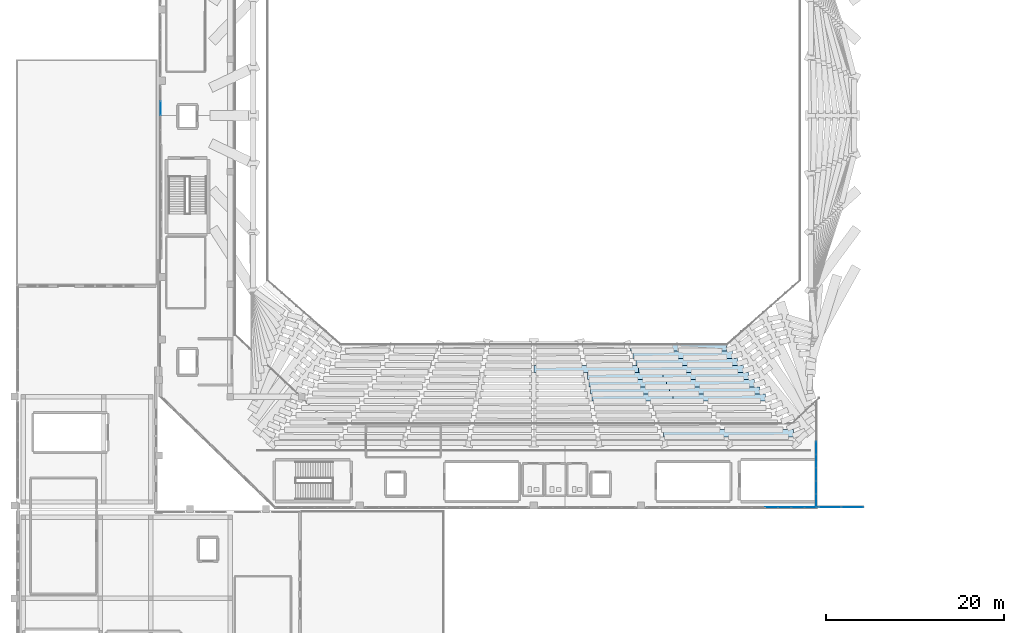
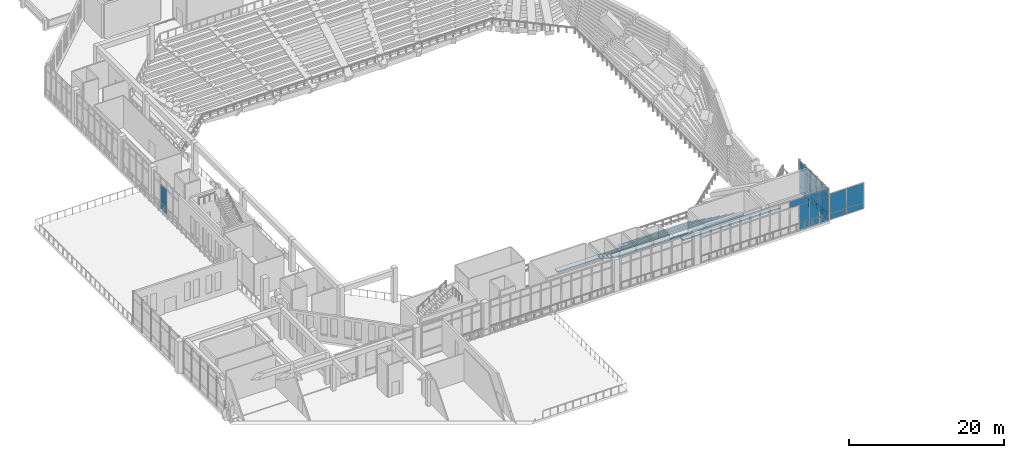
# One storey, part 35 of 55: 31 plates, 14 slabs, 4 elements without a shape of their own.
"""IFC4 building model written with IfcOpenShell, lengths in metres."""

from ifc_helpers import new_model, si_unit, derived_unit, direction, frame, origin, origin_2d, place, context, subcontext, project, spatial, polyline, rectangle, outline, extrude, material, layer, layer_set, type_object, element, aggregate, save


model = new_model("IFC4")

# Units and contexts
model_context = context("Model", 3, precision=1e-05, world=origin(), true_north=direction((0.0, 1.0)))
body_context = subcontext(model_context, "Body", "Model", "MODEL_VIEW")
ifc_project = project(units=[si_unit("LENGTHUNIT", "METRE"), si_unit("AREAUNIT", "SQUARE_METRE"), si_unit("VOLUMEUNIT", "CUBIC_METRE"), si_unit("PLANEANGLEUNIT", "RADIAN"), si_unit("MASSUNIT", "GRAM", prefix="KILO"), derived_unit("THERMALTRANSMITTANCEUNIT", [(si_unit("MASSUNIT", "GRAM", prefix="KILO"), 1), (si_unit("TIMEUNIT", "SECOND"), -3), (si_unit("THERMODYNAMICTEMPERATUREUNIT", "KELVIN"), -1)])], contexts=[model_context])

# Site, building, storey
site_placement = place(None, origin())
site = spatial("IfcSite", under=ifc_project, at=site_placement, CompositionType="ELEMENT")
building_placement = place(site_placement, origin())
building = spatial("IfcBuilding", under=site, at=building_placement, Name="Valcora Ridge Arena", CompositionType="ELEMENT")
storey_placement = place(building_placement, frame((0.0, 0.0, 21.0)))
storey = spatial("IfcBuildingStorey", under=building, at=storey_placement, Name="L04", CompositionType="ELEMENT", Elevation=21.0)

# Curtain wall, plates
ifc_material_1 = material(Name="Anodised dark bronze architectural aluminium 6063-T6", Category="aluminium")
ifc_layer_1 = layer(ifc_material_1, 0.179931640625, Name="Anodised dark bronze architectural aluminium 6063-T6")
ifc_layer_set_1 = layer_set([ifc_layer_1], Name="Anodised dark bronze architectural aluminium 6063-T6")
curtain_wall_type_1 = type_object("IfcCurtainWallType", Name="TY-CURTAINWALL-CW-V1-GOTH-192X51", PredefinedType="NOTDEFINED", material=ifc_layer_set_1)
curtain_wall_1_placement = place(storey_placement, origin())
curtain_wall_1 = element("IfcCurtainWall", 1, at=curtain_wall_1_placement, inside=storey, type_object=curtain_wall_type_1, Name="CW-V1-GOTH-192X51 CW-0156", PredefinedType="NOTDEFINED")
ifc_material_2 = material(Name="Low-iron solar-control double glazing SHGC 0.28", Category="glass")
ifc_layer_2 = layer(ifc_material_2, 0.031982421875, Name="Low-iron solar-control double glazing SHGC 0.28")
ifc_layer_set_2 = layer_set([ifc_layer_2], Name="Low-iron solar-control double glazing SHGC 0.28")
plate_type_1 = type_object("IfcPlateType", Name="TY-PLT-CWP-1384X0960", PredefinedType="CURTAIN_PANEL", material=ifc_layer_set_2)
plate_1_placement = place(storey_placement, frame((89.048095703125, 20.199951171875, 0.06005859375), z_axis=(0.0, 0.0, 1.0), x_axis=(1.0, 0.0, 0.0)))
plate_1 = element("IfcPlate", 2, at=plate_1_placement, type_object=plate_type_1, Name="CW-0156/P12-00", PredefinedType="CURTAIN_PANEL", context=body_context, shape_type="SweptSolid", body=[
    extrude(rectangle(XDim=1.384033203125, YDim=0.031982421875, at=origin_2d()), origin(), (0.0, 0.0, 1.0), 0.9599609375),
])
ifc_layer_3 = layer(ifc_material_2, 0.031982421875, Name="Low-iron solar-control double glazing SHGC 0.28")
ifc_layer_set_3 = layer_set([ifc_layer_3], Name="Low-iron solar-control double glazing SHGC 0.28")
plate_type_2 = type_object("IfcPlateType", Name="TY-PLT-CWP-1384X1010", PredefinedType="CURTAIN_PANEL", material=ifc_layer_set_3)
plate_2_placement = place(storey_placement, frame((89.048095703125, 20.199951171875, 3.990234375), z_axis=(0.0, 0.0, 1.0), x_axis=(1.0, 0.0, 0.0)))
plate_2 = element("IfcPlate", 3, at=plate_2_placement, type_object=plate_type_2, Name="CW-0156/P12-02", PredefinedType="CURTAIN_PANEL", context=body_context, shape_type="SweptSolid", body=[
    extrude(rectangle(XDim=1.384033203125, YDim=0.031982421875, at=origin_2d()), origin(), (0.0, 0.0, 1.0), 1.010009765625),
])
ifc_layer_4 = layer(ifc_material_2, 0.031982421875, Name="Low-iron solar-control double glazing SHGC 0.28")
ifc_layer_set_4 = layer_set([ifc_layer_4], Name="Low-iron solar-control double glazing SHGC 0.28")
plate_type_3 = type_object("IfcPlateType", Name="TY-PLT-CWP-1384X2850", PredefinedType="CURTAIN_PANEL", material=ifc_layer_set_4)
plate_3_placement = place(storey_placement, frame((89.048095703125, 20.199951171875, 1.079833984375), z_axis=(0.0, 0.0, 1.0), x_axis=(1.0, 0.0, 0.0)))
plate_3 = element("IfcPlate", 4, at=plate_3_placement, type_object=plate_type_3, Name="CW-0156/P12-01", PredefinedType="CURTAIN_PANEL", context=body_context, shape_type="SweptSolid", body=[
    extrude(rectangle(XDim=1.384033203125, YDim=0.031982421875, at=origin_2d()), origin(), (0.0, 0.0, 1.0), 2.85009765625),
])

ifc_layer_5 = layer(ifc_material_1, 0.14990234375, Name="Anodised dark bronze architectural aluminium 6063-T6")
ifc_layer_set_5 = layer_set([ifc_layer_5], Name="Anodised dark bronze architectural aluminium 6063-T6")
curtain_wall_type_2 = type_object("IfcCurtainWallType", Name="TY-CURTAINWALL-CW-V1-EAST-074X51", PredefinedType="NOTDEFINED", material=ifc_layer_set_5)
curtain_wall_2_placement = place(storey_placement, origin())
curtain_wall_2 = element("IfcCurtainWall", 5, at=curtain_wall_2_placement, inside=storey, type_object=curtain_wall_type_2, Name="CW-V1-EAST-074X51 CW-0161", PredefinedType="NOTDEFINED")
ifc_layer_6 = layer(ifc_material_2, 0.028076171875, Name="Low-iron solar-control double glazing SHGC 0.28")
ifc_layer_set_6 = layer_set([ifc_layer_6], Name="Low-iron solar-control double glazing SHGC 0.28")
plate_type_4 = type_object("IfcPlateType", Name="TY-PLT-CWP-1405X0975", PredefinedType="CURTAIN_PANEL", material=ifc_layer_set_6)
plate_4_placement = place(storey_placement, frame((89.64990234375, 20.952392578125, 0.050048828125), z_axis=(0.0, 0.0, 1.0), x_axis=(0.0, 1.0, 0.0)))
plate_4 = element("IfcPlate", 6, at=plate_4_placement, type_object=plate_type_4, Name="CW-0161/P00-00", PredefinedType="CURTAIN_PANEL", context=body_context, shape_type="SweptSolid", body=[
    extrude(rectangle(XDim=1.405029296875, YDim=0.028076171875, at=origin_2d()), origin(), (0.0, 0.0, 1.0), 0.97509765625),
])
plate_5_placement = place(storey_placement, frame((89.64990234375, 26.847412109375, 0.050048828125), z_axis=(0.0, 0.0, 1.0), x_axis=(0.0, 1.0, 0.0)))
plate_5 = element("IfcPlate", 7, at=plate_5_placement, type_object=plate_type_4, Name="CW-0161/P04-00", PredefinedType="CURTAIN_PANEL", context=body_context, shape_type="SweptSolid", body=[
    extrude(rectangle(XDim=1.405029296875, YDim=0.028076171875, at=origin_2d()), origin(), (0.0, 0.0, 1.0), 0.97509765625),
])
ifc_layer_7 = layer(ifc_material_2, 0.028076171875, Name="Low-iron solar-control double glazing SHGC 0.28")
ifc_layer_set_7 = layer_set([ifc_layer_7], Name="Low-iron solar-control double glazing SHGC 0.28")
plate_type_5 = type_object("IfcPlateType", Name="TY-PLT-CWP-1405X1025", PredefinedType="CURTAIN_PANEL", material=ifc_layer_set_7)
plate_6_placement = place(storey_placement, frame((89.64990234375, 20.952392578125, 3.985107421875), z_axis=(0.0, 0.0, 1.0), x_axis=(0.0, 1.0, 0.0)))
plate_6 = element("IfcPlate", 8, at=plate_6_placement, type_object=plate_type_5, Name="CW-0161/P00-02", PredefinedType="CURTAIN_PANEL", context=body_context, shape_type="SweptSolid", body=[
    extrude(rectangle(XDim=1.405029296875, YDim=0.028076171875, at=origin_2d()), origin(), (0.0, 0.0, 1.0), 1.02490234375),
])
plate_7_placement = place(storey_placement, frame((89.64990234375, 26.847412109375, 3.985107421875), z_axis=(0.0, 0.0, 1.0), x_axis=(0.0, 1.0, 0.0)))
plate_7 = element("IfcPlate", 9, at=plate_7_placement, type_object=plate_type_5, Name="CW-0161/P04-02", PredefinedType="CURTAIN_PANEL", context=body_context, shape_type="SweptSolid", body=[
    extrude(rectangle(XDim=1.405029296875, YDim=0.028076171875, at=origin_2d()), origin(), (0.0, 0.0, 1.0), 1.02490234375),
])
ifc_layer_8 = layer(ifc_material_2, 0.028076171875, Name="Low-iron solar-control double glazing SHGC 0.28")
ifc_layer_set_8 = layer_set([ifc_layer_8], Name="Low-iron solar-control double glazing SHGC 0.28")
plate_type_6 = type_object("IfcPlateType", Name="TY-PLT-CWP-1405X2860", PredefinedType="CURTAIN_PANEL", material=ifc_layer_set_8)
plate_8_placement = place(storey_placement, frame((89.64990234375, 20.952392578125, 1.07470703125), z_axis=(0.0, 0.0, 1.0), x_axis=(0.0, 1.0, 0.0)))
plate_8 = element("IfcPlate", 10, at=plate_8_placement, type_object=plate_type_6, Name="CW-0161/P00-01", PredefinedType="CURTAIN_PANEL", context=body_context, shape_type="SweptSolid", body=[
    extrude(rectangle(XDim=1.405029296875, YDim=0.028076171875, at=origin_2d()), origin(), (0.0, 0.0, 1.0), 2.860107421875),
])
plate_9_placement = place(storey_placement, frame((89.64990234375, 26.847412109375, 1.07470703125), z_axis=(0.0, 0.0, 1.0), x_axis=(0.0, 1.0, 0.0)))
plate_9 = element("IfcPlate", 11, at=plate_9_placement, type_object=plate_type_6, Name="CW-0161/P04-01", PredefinedType="CURTAIN_PANEL", context=body_context, shape_type="SweptSolid", body=[
    extrude(rectangle(XDim=1.405029296875, YDim=0.028076171875, at=origin_2d()), origin(), (0.0, 0.0, 1.0), 2.860107421875),
])

# Plate
ifc_layer_9 = layer(ifc_material_2, 0.031982421875, Name="Low-iron solar-control double glazing SHGC 0.28")
ifc_layer_set_9 = layer_set([ifc_layer_9], Name="Low-iron solar-control double glazing SHGC 0.28")
plate_type_7 = type_object("IfcPlateType", Name="TY-PLT-CWP-1413X1010", PredefinedType="CURTAIN_PANEL", material=ifc_layer_set_9)
plate_10_placement = place(storey_placement, frame((84.6416015625, 20.199951171875, 3.990234375), z_axis=(0.0, 0.0, 1.0), x_axis=(1.0, 0.0, 0.0)))
plate_10 = element("IfcPlate", 12, at=plate_10_placement, type_object=plate_type_7, Name="CW-0156/P09-02", PredefinedType="CURTAIN_PANEL", context=body_context, shape_type="SweptSolid", body=[
    extrude(rectangle(XDim=1.4130859375, YDim=0.031982421875, at=origin_2d()), origin(), (0.0, 0.0, 1.0), 1.010009765625),
])

ifc_layer_10 = layer(ifc_material_2, 0.031982421875, Name="Low-iron solar-control double glazing SHGC 0.28")
ifc_layer_set_10 = layer_set([ifc_layer_10], Name="Low-iron solar-control double glazing SHGC 0.28")
plate_type_8 = type_object("IfcPlateType", Name="TY-PLT-CWP-1414X0960", PredefinedType="CURTAIN_PANEL", material=ifc_layer_set_10)
plate_11_placement = place(storey_placement, frame((86.114990234375, 20.199951171875, 0.06005859375), z_axis=(0.0, 0.0, 1.0), x_axis=(1.0, 0.0, 0.0)))
plate_11 = element("IfcPlate", 13, at=plate_11_placement, type_object=plate_type_8, Name="CW-0156/P10-00", PredefinedType="CURTAIN_PANEL", context=body_context, shape_type="SweptSolid", body=[
    extrude(rectangle(XDim=1.4140625, YDim=0.031982421875, at=origin_2d()), origin(), (0.0, 0.0, 1.0), 0.9599609375),
])

plate_12_placement = place(storey_placement, frame((87.589111328125, 20.199951171875, 0.06005859375), z_axis=(0.0, 0.0, 1.0), x_axis=(1.0, 0.0, 0.0)))
plate_12 = element("IfcPlate", 14, at=plate_12_placement, type_object=plate_type_8, Name="CW-0156/P11-00", PredefinedType="CURTAIN_PANEL", context=body_context, shape_type="SweptSolid", body=[
    extrude(rectangle(XDim=1.4140625, YDim=0.031982421875, at=origin_2d()), origin(), (0.0, 0.0, 1.0), 0.9599609375),
])

ifc_layer_11 = layer(ifc_material_2, 0.031982421875, Name="Low-iron solar-control double glazing SHGC 0.28")
ifc_layer_set_11 = layer_set([ifc_layer_11], Name="Low-iron solar-control double glazing SHGC 0.28")
plate_type_9 = type_object("IfcPlateType", Name="TY-PLT-CWP-1414X1010", PredefinedType="CURTAIN_PANEL", material=ifc_layer_set_11)
plate_13_placement = place(storey_placement, frame((86.114990234375, 20.199951171875, 3.990234375), z_axis=(0.0, 0.0, 1.0), x_axis=(1.0, 0.0, 0.0)))
plate_13 = element("IfcPlate", 15, at=plate_13_placement, type_object=plate_type_9, Name="CW-0156/P10-02", PredefinedType="CURTAIN_PANEL", context=body_context, shape_type="SweptSolid", body=[
    extrude(rectangle(XDim=1.4140625, YDim=0.031982421875, at=origin_2d()), origin(), (0.0, 0.0, 1.0), 1.010009765625),
])

plate_14_placement = place(storey_placement, frame((87.589111328125, 20.199951171875, 3.990234375), z_axis=(0.0, 0.0, 1.0), x_axis=(1.0, 0.0, 0.0)))
plate_14 = element("IfcPlate", 16, at=plate_14_placement, type_object=plate_type_9, Name="CW-0156/P11-02", PredefinedType="CURTAIN_PANEL", context=body_context, shape_type="SweptSolid", body=[
    extrude(rectangle(XDim=1.4140625, YDim=0.031982421875, at=origin_2d()), origin(), (0.0, 0.0, 1.0), 1.010009765625),
])

ifc_layer_12 = layer(ifc_material_2, 0.031982421875, Name="Low-iron solar-control double glazing SHGC 0.28")
ifc_layer_set_12 = layer_set([ifc_layer_12], Name="Low-iron solar-control double glazing SHGC 0.28")
plate_type_10 = type_object("IfcPlateType", Name="TY-PLT-CWP-1414X2850", PredefinedType="CURTAIN_PANEL", material=ifc_layer_set_12)
plate_15_placement = place(storey_placement, frame((86.114990234375, 20.199951171875, 1.079833984375), z_axis=(0.0, 0.0, 1.0), x_axis=(1.0, 0.0, 0.0)))
plate_15 = element("IfcPlate", 17, at=plate_15_placement, type_object=plate_type_10, Name="CW-0156/P10-01", PredefinedType="CURTAIN_PANEL", context=body_context, shape_type="SweptSolid", body=[
    extrude(rectangle(XDim=1.4140625, YDim=0.031982421875, at=origin_2d()), origin(), (0.0, 0.0, 1.0), 2.85009765625),
])

plate_16_placement = place(storey_placement, frame((87.589111328125, 20.199951171875, 1.079833984375), z_axis=(0.0, 0.0, 1.0), x_axis=(1.0, 0.0, 0.0)))
plate_16 = element("IfcPlate", 18, at=plate_16_placement, type_object=plate_type_10, Name="CW-0156/P11-01", PredefinedType="CURTAIN_PANEL", context=body_context, shape_type="SweptSolid", body=[
    extrude(rectangle(XDim=1.4140625, YDim=0.031982421875, at=origin_2d()), origin(), (0.0, 0.0, 1.0), 2.85009765625),
])

aggregate(curtain_wall_1, [plate_10, plate_11, plate_15, plate_13, plate_12, plate_16, plate_14, plate_1, plate_3, plate_2])

ifc_layer_13 = layer(ifc_material_2, 0.028076171875, Name="Low-iron solar-control double glazing SHGC 0.28")
ifc_layer_set_13 = layer_set([ifc_layer_13], Name="Low-iron solar-control double glazing SHGC 0.28")
plate_type_11 = type_object("IfcPlateType", Name="TY-PLT-CWP-1430X0975", PredefinedType="CURTAIN_PANEL", material=ifc_layer_set_13)
plate_17_placement = place(storey_placement, frame((89.64990234375, 22.419921875, 0.050048828125), z_axis=(0.0, 0.0, 1.0), x_axis=(0.0, 1.0, 0.0)))
plate_17 = element("IfcPlate", 19, at=plate_17_placement, type_object=plate_type_11, Name="CW-0161/P01-00", PredefinedType="CURTAIN_PANEL", context=body_context, shape_type="SweptSolid", body=[
    extrude(rectangle(XDim=1.429931640625, YDim=0.028076171875, at=origin_2d()), origin(), (0.0, 0.0, 1.0), 0.97509765625),
])

plate_18_placement = place(storey_placement, frame((89.64990234375, 23.89990234375, 0.050048828125), z_axis=(0.0, 0.0, 1.0), x_axis=(0.0, 1.0, 0.0)))
plate_18 = element("IfcPlate", 20, at=plate_18_placement, type_object=plate_type_11, Name="CW-0161/P02-00", PredefinedType="CURTAIN_PANEL", context=body_context, shape_type="SweptSolid", body=[
    extrude(rectangle(XDim=1.429931640625, YDim=0.028076171875, at=origin_2d()), origin(), (0.0, 0.0, 1.0), 0.97509765625),
])

plate_19_placement = place(storey_placement, frame((89.64990234375, 25.3798828125, 0.050048828125), z_axis=(0.0, 0.0, 1.0), x_axis=(0.0, 1.0, 0.0)))
plate_19 = element("IfcPlate", 21, at=plate_19_placement, type_object=plate_type_11, Name="CW-0161/P03-00", PredefinedType="CURTAIN_PANEL", context=body_context, shape_type="SweptSolid", body=[
    extrude(rectangle(XDim=1.429931640625, YDim=0.028076171875, at=origin_2d()), origin(), (0.0, 0.0, 1.0), 0.97509765625),
])

ifc_layer_14 = layer(ifc_material_2, 0.028076171875, Name="Low-iron solar-control double glazing SHGC 0.28")
ifc_layer_set_14 = layer_set([ifc_layer_14], Name="Low-iron solar-control double glazing SHGC 0.28")
plate_type_12 = type_object("IfcPlateType", Name="TY-PLT-CWP-1430X1025", PredefinedType="CURTAIN_PANEL", material=ifc_layer_set_14)
plate_20_placement = place(storey_placement, frame((89.64990234375, 22.419921875, 3.985107421875), z_axis=(0.0, 0.0, 1.0), x_axis=(0.0, 1.0, 0.0)))
plate_20 = element("IfcPlate", 22, at=plate_20_placement, type_object=plate_type_12, Name="CW-0161/P01-02", PredefinedType="CURTAIN_PANEL", context=body_context, shape_type="SweptSolid", body=[
    extrude(rectangle(XDim=1.429931640625, YDim=0.028076171875, at=origin_2d()), origin(), (0.0, 0.0, 1.0), 1.02490234375),
])

plate_21_placement = place(storey_placement, frame((89.64990234375, 23.89990234375, 3.985107421875), z_axis=(0.0, 0.0, 1.0), x_axis=(0.0, 1.0, 0.0)))
plate_21 = element("IfcPlate", 23, at=plate_21_placement, type_object=plate_type_12, Name="CW-0161/P02-02", PredefinedType="CURTAIN_PANEL", context=body_context, shape_type="SweptSolid", body=[
    extrude(rectangle(XDim=1.429931640625, YDim=0.028076171875, at=origin_2d()), origin(), (0.0, 0.0, 1.0), 1.02490234375),
])

plate_22_placement = place(storey_placement, frame((89.64990234375, 25.3798828125, 3.985107421875), z_axis=(0.0, 0.0, 1.0), x_axis=(0.0, 1.0, 0.0)))
plate_22 = element("IfcPlate", 24, at=plate_22_placement, type_object=plate_type_12, Name="CW-0161/P03-02", PredefinedType="CURTAIN_PANEL", context=body_context, shape_type="SweptSolid", body=[
    extrude(rectangle(XDim=1.429931640625, YDim=0.028076171875, at=origin_2d()), origin(), (0.0, 0.0, 1.0), 1.02490234375),
])

ifc_layer_15 = layer(ifc_material_2, 0.028076171875, Name="Low-iron solar-control double glazing SHGC 0.28")
ifc_layer_set_15 = layer_set([ifc_layer_15], Name="Low-iron solar-control double glazing SHGC 0.28")
plate_type_13 = type_object("IfcPlateType", Name="TY-PLT-CWP-1430X2860", PredefinedType="CURTAIN_PANEL", material=ifc_layer_set_15)
plate_23_placement = place(storey_placement, frame((89.64990234375, 22.419921875, 1.07470703125), z_axis=(0.0, 0.0, 1.0), x_axis=(0.0, 1.0, 0.0)))
plate_23 = element("IfcPlate", 25, at=plate_23_placement, type_object=plate_type_13, Name="CW-0161/P01-01", PredefinedType="CURTAIN_PANEL", context=body_context, shape_type="SweptSolid", body=[
    extrude(rectangle(XDim=1.429931640625, YDim=0.028076171875, at=origin_2d()), origin(), (0.0, 0.0, 1.0), 2.860107421875),
])

plate_24_placement = place(storey_placement, frame((89.64990234375, 23.89990234375, 1.07470703125), z_axis=(0.0, 0.0, 1.0), x_axis=(0.0, 1.0, 0.0)))
plate_24 = element("IfcPlate", 26, at=plate_24_placement, type_object=plate_type_13, Name="CW-0161/P02-01", PredefinedType="CURTAIN_PANEL", context=body_context, shape_type="SweptSolid", body=[
    extrude(rectangle(XDim=1.429931640625, YDim=0.028076171875, at=origin_2d()), origin(), (0.0, 0.0, 1.0), 2.860107421875),
])

plate_25_placement = place(storey_placement, frame((89.64990234375, 25.3798828125, 1.07470703125), z_axis=(0.0, 0.0, 1.0), x_axis=(0.0, 1.0, 0.0)))
plate_25 = element("IfcPlate", 27, at=plate_25_placement, type_object=plate_type_13, Name="CW-0161/P03-01", PredefinedType="CURTAIN_PANEL", context=body_context, shape_type="SweptSolid", body=[
    extrude(rectangle(XDim=1.429931640625, YDim=0.028076171875, at=origin_2d()), origin(), (0.0, 0.0, 1.0), 2.860107421875),
])

aggregate(curtain_wall_2, [plate_4, plate_8, plate_6, plate_17, plate_23, plate_20, plate_18, plate_24, plate_21, plate_19, plate_25, plate_22, plate_5, plate_9, plate_7])

# Curtain wall, plates
ifc_layer_16 = layer(ifc_material_1, 0.179931640625, Name="Anodised dark bronze architectural aluminium 6063-T6")
ifc_layer_set_16 = layer_set([ifc_layer_16], Name="Anodised dark bronze architectural aluminium 6063-T6")
curtain_wall_type_3 = type_object("IfcCurtainWallType", Name="TY-CURTAINWALL-CW-V1-GOTH-065X51", PredefinedType="NOTDEFINED", material=ifc_layer_set_16)
curtain_wall_3_placement = place(storey_placement, origin())
curtain_wall_3 = element("IfcCurtainWall", 28, at=curtain_wall_3_placement, inside=storey, type_object=curtain_wall_type_3, Name="CW-V1-GOTH-065X51 CW-0149", PredefinedType="NOTDEFINED")
ifc_layer_17 = layer(ifc_material_2, 0.031982421875, Name="Low-iron solar-control double glazing SHGC 0.28")
ifc_layer_set_17 = layer_set([ifc_layer_17], Name="Low-iron solar-control double glazing SHGC 0.28")
plate_type_14 = type_object("IfcPlateType", Name="TY-PLT-CWP-1568X0960", PredefinedType="CURTAIN_PANEL", material=ifc_layer_set_17)
plate_26_placement = place(storey_placement, frame((16.199951171875, 64.9189453125, 0.06005859375), z_axis=(0.0, 0.0, 1.0), x_axis=(0.0, 1.0, 0.0)))
plate_26 = element("IfcPlate", 29, at=plate_26_placement, type_object=plate_type_14, Name="CW-0149/P02-00", PredefinedType="CURTAIN_PANEL", context=body_context, shape_type="SweptSolid", body=[
    extrude(rectangle(XDim=1.568115234375, YDim=0.031982421875, at=origin_2d()), origin(), (0.0, 0.0, 1.0), 0.9599609375),
])
ifc_layer_18 = layer(ifc_material_2, 0.031982421875, Name="Low-iron solar-control double glazing SHGC 0.28")
ifc_layer_set_18 = layer_set([ifc_layer_18], Name="Low-iron solar-control double glazing SHGC 0.28")
plate_type_15 = type_object("IfcPlateType", Name="TY-PLT-CWP-1568X2850", PredefinedType="CURTAIN_PANEL", material=ifc_layer_set_18)
plate_27_placement = place(storey_placement, frame((16.199951171875, 64.9189453125, 1.079833984375), z_axis=(0.0, 0.0, 1.0), x_axis=(0.0, 1.0, 0.0)))
plate_27 = element("IfcPlate", 30, at=plate_27_placement, type_object=plate_type_15, Name="CW-0149/P02-01", PredefinedType="CURTAIN_PANEL", context=body_context, shape_type="SweptSolid", body=[
    extrude(rectangle(XDim=1.568115234375, YDim=0.031982421875, at=origin_2d()), origin(), (0.0, 0.0, 1.0), 2.85009765625),
])
aggregate(curtain_wall_3, [plate_26, plate_27])

ifc_layer_19 = layer(ifc_material_1, 0.179931640625, Name="Anodised dark bronze architectural aluminium 6063-T6")
ifc_layer_set_19 = layer_set([ifc_layer_19], Name="Anodised dark bronze architectural aluminium 6063-T6")
curtain_wall_type_4 = type_object("IfcCurtainWallType", Name="TY-CURTAINWALL-CW-V1-TYMPS-051X41", PredefinedType="NOTDEFINED", material=ifc_layer_set_19)
curtain_wall_4_placement = place(storey_placement, origin())
curtain_wall_4 = element("IfcCurtainWall", 31, at=curtain_wall_4_placement, inside=storey, type_object=curtain_wall_type_4, Name="CW-V1-TYMPS-051X41 CW-0180", PredefinedType="NOTDEFINED")
ifc_layer_20 = layer(ifc_material_2, 0.031982421875, Name="Low-iron solar-control double glazing SHGC 0.28")
ifc_layer_set_20 = layer_set([ifc_layer_20], Name="Low-iron solar-control double glazing SHGC 0.28")
plate_type_16 = type_object("IfcPlateType", Name="TY-PLT-CWP-2460X0860", PredefinedType="CURTAIN_PANEL", material=ifc_layer_set_20)
plate_28_placement = place(storey_placement, frame((91.18994140625, 20.219970703125, 0.06005859375), z_axis=(0.0, 0.0, 1.0), x_axis=(1.0, 0.0, 0.0)))
plate_28 = element("IfcPlate", 32, at=plate_28_placement, type_object=plate_type_16, Name="CW-0180/P00-00", PredefinedType="CURTAIN_PANEL", context=body_context, shape_type="SweptSolid", body=[
    extrude(rectangle(XDim=2.4599609375, YDim=0.031982421875, at=origin_2d()), origin(), (0.0, 0.0, 1.0), 0.860107421875),
])
plate_29_placement = place(storey_placement, frame((93.7099609375, 20.219970703125, 0.06005859375), z_axis=(0.0, 0.0, 1.0), x_axis=(1.0, 0.0, 0.0)))
plate_29 = element("IfcPlate", 33, at=plate_29_placement, type_object=plate_type_16, Name="CW-0180/P01-00", PredefinedType="CURTAIN_PANEL", context=body_context, shape_type="SweptSolid", body=[
    extrude(rectangle(XDim=2.4599609375, YDim=0.031982421875, at=origin_2d()), origin(), (0.0, 0.0, 1.0), 0.860107421875),
])
ifc_layer_21 = layer(ifc_material_2, 0.031982421875, Name="Low-iron solar-control double glazing SHGC 0.28")
ifc_layer_set_21 = layer_set([ifc_layer_21], Name="Low-iron solar-control double glazing SHGC 0.28")
plate_type_17 = type_object("IfcPlateType", Name="TY-PLT-CWP-2460X3086", PredefinedType="CURTAIN_PANEL", material=ifc_layer_set_21)
plate_30_placement = place(storey_placement, frame((91.18994140625, 20.219970703125, 0.97998046875), z_axis=(0.0, 0.0, 1.0), x_axis=(1.0, 0.0, 0.0)))
plate_30 = element("IfcPlate", 34, at=plate_30_placement, type_object=plate_type_17, Name="CW-0180/P00-01", PredefinedType="CURTAIN_PANEL", context=body_context, shape_type="SweptSolid", body=[
    extrude(rectangle(XDim=2.4599609375, YDim=0.031982421875, at=origin_2d()), origin(), (0.0, 0.0, 1.0), 3.0859375),
])
plate_31_placement = place(storey_placement, frame((93.7099609375, 20.219970703125, 0.97998046875), z_axis=(0.0, 0.0, 1.0), x_axis=(1.0, 0.0, 0.0)))
plate_31 = element("IfcPlate", 35, at=plate_31_placement, type_object=plate_type_17, Name="CW-0180/P01-01", PredefinedType="CURTAIN_PANEL", context=body_context, shape_type="SweptSolid", body=[
    extrude(rectangle(XDim=2.4599609375, YDim=0.031982421875, at=origin_2d()), origin(), (0.0, 0.0, 1.0), 3.0859375),
])
aggregate(curtain_wall_4, [plate_28, plate_30, plate_29, plate_31])

# Slabs
ifc_material_3 = material(Name="Precast concrete C45/55", Category="concrete")
ifc_layer_22 = layer(ifc_material_3, 0.199951171875, Name="Precast concrete C45/55")
ifc_layer_set_22 = layer_set([ifc_layer_22], Name="Precast concrete C45/55")
slab_type_1 = type_object("IfcSlabType", Name="TY-SLAB-ST-UPP-L084", PredefinedType="USERDEFINED", material=ifc_layer_set_22)
slab_1_placement = place(storey_placement, frame((0.0, 0.0, -5.8798828125)))
element("IfcSlab", 36, at=slab_1_placement, inside=storey, type_object=slab_type_1, Name="ST-UPP-L084 SLB-TR-0523", ObjectType="SEATING TIER", PredefinedType="USERDEFINED", context=body_context, shape_type="SweptSolid", body=[
    extrude(outline(polyline([(64.030029296875, 35.300048828125), (72.471923828125, 35.300048828125), (72.471923828125, 34.5), (64.030029296875, 34.5), (64.030029296875, 35.300048828125)])), origin(), (0.0, 0.0, 1.0), 0.199951171875),
])
ifc_layer_23 = layer(ifc_material_3, 0.199951171875, Name="Precast concrete C45/55")
ifc_layer_set_23 = layer_set([ifc_layer_23], Name="Precast concrete C45/55")
slab_type_2 = type_object("IfcSlabType", Name="TY-SLAB-ST-UPP-L087", PredefinedType="USERDEFINED", material=ifc_layer_set_23)
slab_2_placement = place(storey_placement, frame((0.0, 0.0, -5.39990234375)))
element("IfcSlab", 37, at=slab_2_placement, inside=storey, type_object=slab_type_2, Name="ST-UPP-L087 SLB-TR-0531", ObjectType="SEATING TIER", PredefinedType="USERDEFINED", context=body_context, shape_type="SweptSolid", body=[
    extrude(outline(polyline([(64.18603515625, 34.5), (72.846435546875, 34.5), (72.846435546875, 33.699951171875), (64.18603515625, 33.699951171875), (64.18603515625, 34.5)])), origin(), (0.0, 0.0, 1.0), 0.199951171875),
])
ifc_layer_24 = layer(ifc_material_3, 0.199951171875, Name="Precast concrete C45/55")
ifc_layer_set_24 = layer_set([ifc_layer_24], Name="Precast concrete C45/55")
slab_type_3 = type_object("IfcSlabType", Name="TY-SLAB-ST-UPP-L089", PredefinedType="USERDEFINED", material=ifc_layer_set_24)
slab_3_placement = place(storey_placement, frame((0.0, 0.0, -4.919921875)))
element("IfcSlab", 38, at=slab_3_placement, inside=storey, type_object=slab_type_3, Name="ST-UPP-L089 SLB-TR-0539", ObjectType="SEATING TIER", PredefinedType="USERDEFINED", context=body_context, shape_type="SweptSolid", body=[
    extrude(outline(polyline([(64.342041015625, 33.699951171875), (73.220703125, 33.699951171875), (73.220703125, 32.89990234375), (64.342041015625, 32.89990234375), (64.342041015625, 33.699951171875)])), origin(), (0.0, 0.0, 1.0), 0.199951171875),
])
ifc_layer_25 = layer(ifc_material_3, 0.199951171875, Name="Precast concrete C45/55")
ifc_layer_set_25 = layer_set([ifc_layer_25], Name="Precast concrete C45/55")
slab_type_4 = type_object("IfcSlabType", Name="TY-SLAB-ST-UPP-L091", PredefinedType="USERDEFINED", material=ifc_layer_set_25)
slab_4_placement = place(storey_placement, frame((0.0, 0.0, -4.43994140625)))
element("IfcSlab", 39, at=slab_4_placement, inside=storey, type_object=slab_type_4, Name="ST-UPP-L091 SLB-TR-0547", ObjectType="SEATING TIER", PredefinedType="USERDEFINED", context=body_context, shape_type="SweptSolid", body=[
    extrude(outline(polyline([(64.498046875, 32.89990234375), (73.59521484375, 32.89990234375), (73.59521484375, 32.10009765625), (64.498046875, 32.10009765625), (64.498046875, 32.89990234375)])), origin(), (0.0, 0.0, 1.0), 0.199951171875),
])
ifc_layer_26 = layer(ifc_material_3, 0.199951171875, Name="Precast concrete C45/55")
ifc_layer_set_26 = layer_set([ifc_layer_26], Name="Precast concrete C45/55")
slab_type_5 = type_object("IfcSlabType", Name="TY-SLAB-ST-UPP-L096", PredefinedType="USERDEFINED", material=ifc_layer_set_26)
slab_5_placement = place(storey_placement, frame((0.0, 0.0, -5.8798828125)))
element("IfcSlab", 40, at=slab_5_placement, inside=storey, type_object=slab_type_5, Name="ST-UPP-L096 SLB-TR-0524", ObjectType="SEATING TIER", PredefinedType="USERDEFINED", context=body_context, shape_type="SweptSolid", body=[
    extrude(outline(polyline([(72.471923828125, 35.300048828125), (82.1201171875, 35.300048828125), (82.1201171875, 34.5), (72.471923828125, 34.5), (72.471923828125, 35.300048828125)])), origin(), (0.0, 0.0, 1.0), 0.199951171875),
])
ifc_layer_27 = layer(ifc_material_3, 0.199951171875, Name="Precast concrete C45/55")
ifc_layer_set_27 = layer_set([ifc_layer_27], Name="Precast concrete C45/55")
slab_type_6 = type_object("IfcSlabType", Name="TY-SLAB-ST-UPP-L099", PredefinedType="USERDEFINED", material=ifc_layer_set_27)
slab_6_placement = place(storey_placement, frame((0.0, 0.0, -5.39990234375)))
element("IfcSlab", 41, at=slab_6_placement, inside=storey, type_object=slab_type_6, Name="ST-UPP-L099 SLB-TR-0532", ObjectType="SEATING TIER", PredefinedType="USERDEFINED", context=body_context, shape_type="SweptSolid", body=[
    extrude(outline(polyline([(72.846435546875, 34.5), (82.743896484375, 34.5), (82.743896484375, 33.699951171875), (72.846435546875, 33.699951171875), (72.846435546875, 34.5)])), origin(), (0.0, 0.0, 1.0), 0.199951171875),
])
ifc_layer_28 = layer(ifc_material_3, 0.199951171875, Name="Precast concrete C45/55")
ifc_layer_set_28 = layer_set([ifc_layer_28], Name="Precast concrete C45/55")
slab_type_7 = type_object("IfcSlabType", Name="TY-SLAB-ST-UPP-L101", PredefinedType="USERDEFINED", material=ifc_layer_set_28)
slab_7_placement = place(storey_placement, frame((0.0, 0.0, -4.919921875)))
element("IfcSlab", 42, at=slab_7_placement, inside=storey, type_object=slab_type_7, Name="ST-UPP-L101 SLB-TR-0540", ObjectType="SEATING TIER", PredefinedType="USERDEFINED", context=body_context, shape_type="SweptSolid", body=[
    extrude(outline(polyline([(73.220703125, 33.699951171875), (83.367919921875, 33.699951171875), (83.367919921875, 32.89990234375), (73.220703125, 32.89990234375), (73.220703125, 33.699951171875)])), origin(), (0.0, 0.0, 1.0), 0.199951171875),
])
ifc_layer_29 = layer(ifc_material_3, 0.199951171875, Name="Precast concrete C45/55")
ifc_layer_set_29 = layer_set([ifc_layer_29], Name="Precast concrete C45/55")
slab_type_8 = type_object("IfcSlabType", Name="TY-SLAB-ST-UPP-L104", PredefinedType="USERDEFINED", material=ifc_layer_set_29)
slab_8_placement = place(storey_placement, frame((0.0, 0.0, -4.43994140625)))
element("IfcSlab", 43, at=slab_8_placement, inside=storey, type_object=slab_type_8, Name="ST-UPP-L104 SLB-TR-0548", ObjectType="SEATING TIER", PredefinedType="USERDEFINED", context=body_context, shape_type="SweptSolid", body=[
    extrude(outline(polyline([(73.59521484375, 32.89990234375), (83.991943359375, 32.89990234375), (83.991943359375, 32.10009765625), (73.59521484375, 32.10009765625), (73.59521484375, 32.89990234375)])), origin(), (0.0, 0.0, 1.0), 0.199951171875),
])
ifc_layer_30 = layer(ifc_material_3, 0.199951171875, Name="Precast concrete C45/55")
ifc_layer_set_30 = layer_set([ifc_layer_30], Name="Precast concrete C45/55")
slab_type_9 = type_object("IfcSlabType", Name="TY-SLAB-ST-UPP-L108", PredefinedType="USERDEFINED", material=ifc_layer_set_30)
slab_9_placement = place(storey_placement, frame((0.0, 0.0, -7.800048828125)))
element("IfcSlab", 44, at=slab_9_placement, inside=storey, type_object=slab_type_9, Name="ST-UPP-L108 SLB-TR-0484", ObjectType="SEATING TIER", PredefinedType="USERDEFINED", context=body_context, shape_type="SweptSolid", body=[
    extrude(outline(polyline([(68.81201171875, 38.5), (79.6240234375, 38.5), (79.6240234375, 37.699951171875), (68.81201171875, 37.699951171875), (68.81201171875, 38.5)])), origin(), (0.0, 0.0, 1.0), 0.199951171875),
])
ifc_layer_31 = layer(ifc_material_3, 0.199951171875, Name="Precast concrete C45/55")
ifc_layer_set_31 = layer_set([ifc_layer_31], Name="Precast concrete C45/55")
slab_type_10 = type_object("IfcSlabType", Name="TY-SLAB-ST-UPP-L111", PredefinedType="USERDEFINED", material=ifc_layer_set_31)
slab_10_placement = place(storey_placement, frame((0.0, 0.0, -7.320068359375)))
element("IfcSlab", 45, at=slab_10_placement, inside=storey, type_object=slab_type_10, Name="ST-UPP-L111 SLB-TR-0496", ObjectType="SEATING TIER", PredefinedType="USERDEFINED", context=body_context, shape_type="SweptSolid", body=[
    extrude(outline(polyline([(69.1240234375, 37.699951171875), (80.248046875, 37.699951171875), (80.248046875, 36.89990234375), (69.1240234375, 36.89990234375), (69.1240234375, 37.699951171875)])), origin(), (0.0, 0.0, 1.0), 0.199951171875),
])
ifc_layer_32 = layer(ifc_material_3, 0.199951171875, Name="Precast concrete C45/55")
ifc_layer_set_32 = layer_set([ifc_layer_32], Name="Precast concrete C45/55")
slab_type_11 = type_object("IfcSlabType", Name="TY-SLAB-ST-UPP-L114", PredefinedType="USERDEFINED", material=ifc_layer_set_32)
slab_11_placement = place(storey_placement, frame((0.0, 0.0, -6.840087890625)))
element("IfcSlab", 46, at=slab_11_placement, inside=storey, type_object=slab_type_11, Name="ST-UPP-L114 SLB-TR-0508", ObjectType="SEATING TIER", PredefinedType="USERDEFINED", context=body_context, shape_type="SweptSolid", body=[
    extrude(outline(polyline([(69.43603515625, 36.89990234375), (80.8720703125, 36.89990234375), (80.8720703125, 36.10009765625), (69.43603515625, 36.10009765625), (69.43603515625, 36.89990234375)])), origin(), (0.0, 0.0, 1.0), 0.2001953125),
])
ifc_layer_33 = layer(ifc_material_3, 0.199951171875, Name="Precast concrete C45/55")
ifc_layer_set_33 = layer_set([ifc_layer_33], Name="Precast concrete C45/55")
slab_type_12 = type_object("IfcSlabType", Name="TY-SLAB-ST-UPP-L117", PredefinedType="USERDEFINED", material=ifc_layer_set_33)
slab_12_placement = place(storey_placement, frame((0.0, 0.0, -6.360107421875)))
element("IfcSlab", 47, at=slab_12_placement, inside=storey, type_object=slab_type_12, Name="ST-UPP-L117 SLB-TR-0515", ObjectType="SEATING TIER", PredefinedType="USERDEFINED", context=body_context, shape_type="SweptSolid", body=[
    extrude(outline(polyline([(58.0, 36.10009765625), (69.748046875, 36.10009765625), (69.748046875, 35.300048828125), (58.0, 35.300048828125), (58.0, 36.10009765625)])), origin(), (0.0, 0.0, 1.0), 0.2001953125),
])
slab_13_placement = place(storey_placement, frame((0.0, 0.0, -6.360107421875)))
element("IfcSlab", 48, at=slab_13_placement, inside=storey, type_object=slab_type_12, Name="ST-UPP-L117 SLB-TR-0516", ObjectType="SEATING TIER", PredefinedType="USERDEFINED", context=body_context, shape_type="SweptSolid", body=[
    extrude(outline(polyline([(69.748046875, 36.10009765625), (81.49609375, 36.10009765625), (81.49609375, 35.300048828125), (69.748046875, 35.300048828125), (69.748046875, 36.10009765625)])), origin(), (0.0, 0.0, 1.0), 0.2001953125),
])
ifc_layer_34 = layer(ifc_material_3, 0.199951171875, Name="Precast concrete C45/55")
ifc_layer_set_34 = layer_set([ifc_layer_34], Name="Precast concrete C45/55")
slab_type_13 = type_object("IfcSlabType", Name="TY-SLAB-ST-UPP-L146", PredefinedType="USERDEFINED", material=ifc_layer_set_34)
slab_14_placement = place(storey_placement, frame((0.0, 0.0, -2.0400390625)))
element("IfcSlab", 49, at=slab_14_placement, inside=storey, type_object=slab_type_13, Name="ST-UPP-L146 SLB-TR-0588", ObjectType="SEATING TIER", PredefinedType="USERDEFINED", context=body_context, shape_type="SweptSolid", body=[
    extrude(outline(polyline([(72.555908203125, 28.89990234375), (87.112060546875, 28.89990234375), (87.112060546875, 28.10009765625), (72.555908203125, 28.10009765625), (72.555908203125, 28.89990234375)])), origin(), (0.0, 0.0, 1.0), 0.199951171875),
])

save(model, "model.ifc")
